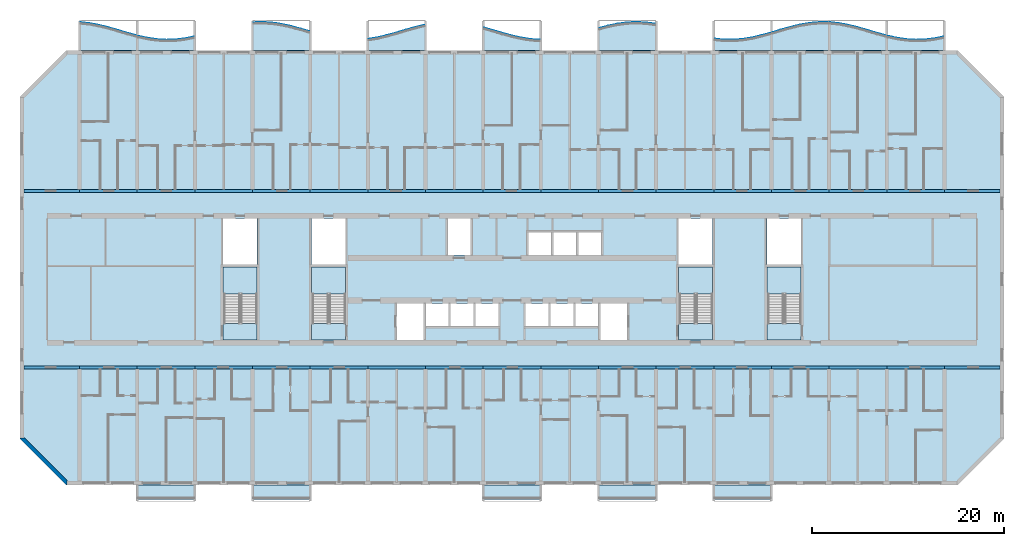
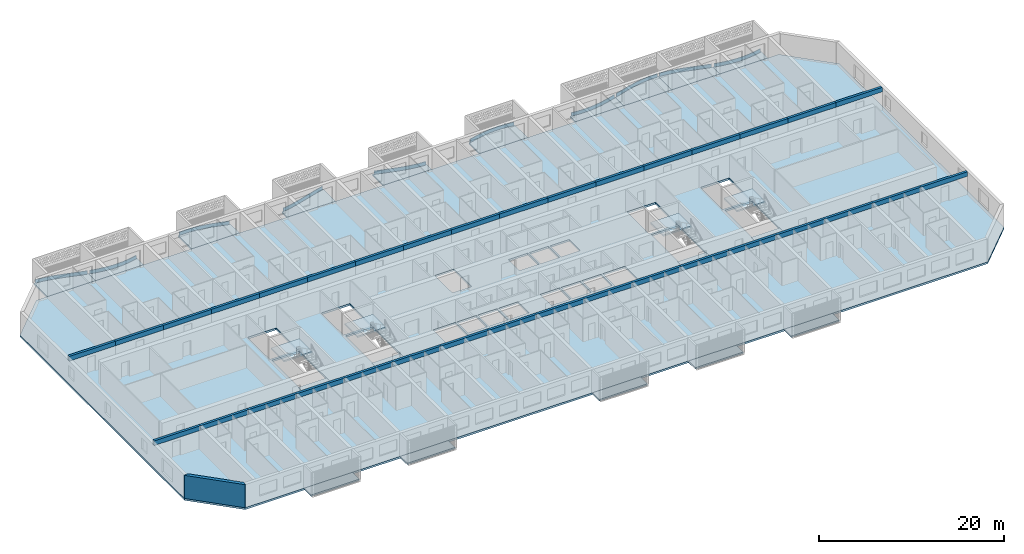
# One storey, part 1 of 40: 34 beams, 24 slabs, 10 plates, 1 wall, 4 elements without a shape of their own.
"""IFC4 building model written with IfcOpenShell, lengths in metres."""

from ifc_helpers import new_model, si_unit, direction, frame, origin, origin_2d, place, context, subcontext, project, spatial, polyline, rectangle, outline, extrude, source, transform, mapped, material, layer, layer_set, material_profile, profile_set, type_object, element, aggregate, save


model = new_model("IFC4")

# Units and contexts
model_context = context("Model", 3, precision=1e-05, world=origin(), true_north=direction((0.0, 1.0)))
body_context = subcontext(model_context, "Body", "Model", "MODEL_VIEW")
ifc_project = project(units=[si_unit("LENGTHUNIT", "METRE"), si_unit("AREAUNIT", "SQUARE_METRE"), si_unit("VOLUMEUNIT", "CUBIC_METRE"), si_unit("PLANEANGLEUNIT", "RADIAN"), si_unit("MASSUNIT", "GRAM", prefix="KILO")], contexts=[model_context])

# Site, building, storey
site_placement = place(None, origin())
site = spatial("IfcSite", under=ifc_project, at=site_placement, CompositionType="ELEMENT")
building_placement = place(site_placement, origin())
building = spatial("IfcBuilding", under=site, at=building_placement, Name="Poui Terraces", CompositionType="ELEMENT")
storey_placement = place(building_placement, frame((0.0, 0.0, 39.89990234375)))
storey = spatial("IfcBuildingStorey", under=building, at=storey_placement, Name="L10", CompositionType="ELEMENT", Elevation=39.89990234375)

# Beams
ifc_material_1 = material(Name="Concrete 80 MPa", Category="concrete")
ifc_material_profile = material_profile(ifc_material_1, rectangle(XDim=0.300048828125, YDim=0.60009765625, at=origin_2d()), Name="RC 300x600")
ifc_profile_set = profile_set([ifc_material_profile], Name="Concrete 80 MPa")
beam_type = type_object("IfcBeamType", Name="COUPLING BEAM 300x600 80MPa", PredefinedType="BEAM", material=ifc_profile_set)
shared_shape_1 = source(origin(), body_context, "Body", "SweptSolid", [
    extrude(rectangle(XDim=0.300048828125, YDim=0.60009765625, at=origin_2d()), origin(), (0.0, 0.0, 1.0), 6.0),
])
for number, where, z_axis, x_axis, name in (
    (1, (6.0, 12.0, 2.75), (1.0, 0.0, 0.0), (0.0, 1.0, 0.0), "COUPLING BEAM LINE B BAY 2"),
    (2, (12.0, 12.0, 2.75), (1.0, 0.0, 0.0), (0.0, 1.0, 0.0), "COUPLING BEAM LINE B BAY 3"),
    (3, (18.0, 12.0, 2.75), (1.0, 0.0, 0.0), (0.0, 1.0, 0.0), "COUPLING BEAM LINE B BAY 4"),
    (4, (24.0, 12.0, 2.75), (1.0, 0.0, 0.0), (0.0, 1.0, 0.0), "COUPLING BEAM LINE B BAY 5"),
    (5, (30.0, 12.0, 2.75), (1.0, 0.0, 0.0), (0.0, 1.0, 0.0), "COUPLING BEAM LINE B BAY 6"),
    (6, (36.0, 12.0, 2.75), (1.0, 0.0, 0.0), (0.0, 1.0, 0.0), "COUPLING BEAM LINE B BAY 7"),
    (7, (42.0, 12.0, 2.75), (1.0, 0.0, 0.0), (0.0, 1.0, 0.0), "COUPLING BEAM LINE B BAY 8"),
    (8, (48.0, 12.0, 2.75), (1.0, 0.0, 0.0), (0.0, 1.0, 0.0), "COUPLING BEAM LINE B BAY 9"),
    (9, (54.0, 12.0, 2.75), (1.0, 0.0, 0.0), (0.0, 1.0, 0.0), "COUPLING BEAM LINE B BAY 10"),
    (10, (60.0, 12.0, 2.75), (1.0, 0.0, 0.0), (0.0, 1.0, 0.0), "COUPLING BEAM LINE B BAY 11"),
    (11, (66.0, 12.0, 2.75), (1.0, 0.0, 0.0), (0.0, 1.0, 0.0), "COUPLING BEAM LINE B BAY 12"),
    (12, (72.0, 12.0, 2.75), (1.0, 0.0, 0.0), (0.0, 1.0, 0.0), "COUPLING BEAM LINE B BAY 13"),
    (13, (78.0, 12.0, 2.75), (1.0, 0.0, 0.0), (0.0, 1.0, 0.0), "COUPLING BEAM LINE B BAY 14"),
    (14, (84.0, 12.0, 2.75), (1.0, 0.0, 0.0), (0.0, 1.0, 0.0), "COUPLING BEAM LINE B BAY 15"),
    (15, (90.0, 12.0, 2.75), (1.0, 0.0, 0.0), (0.0, 1.0, 0.0), "COUPLING BEAM LINE B BAY 16"),
    (16, (6.0, 30.39990234375, 2.75), (1.0, 0.0, 0.0), (0.0, 1.0, 0.0), "COUPLING BEAM LINE E BAY 2"),
    (17, (12.0, 30.39990234375, 2.75), (1.0, 0.0, 0.0), (0.0, 1.0, 0.0), "COUPLING BEAM LINE E BAY 3"),
    (18, (18.0, 30.39990234375, 2.75), (1.0, 0.0, 0.0), (0.0, 1.0, 0.0), "COUPLING BEAM LINE E BAY 4"),
    (19, (24.0, 30.39990234375, 2.75), (1.0, 0.0, 0.0), (0.0, 1.0, 0.0), "COUPLING BEAM LINE E BAY 5"),
    (20, (30.0, 30.39990234375, 2.75), (1.0, 0.0, 0.0), (0.0, 1.0, 0.0), "COUPLING BEAM LINE E BAY 6"),
    (21, (36.0, 30.39990234375, 2.75), (1.0, 0.0, 0.0), (0.0, 1.0, 0.0), "COUPLING BEAM LINE E BAY 7"),
    (22, (42.0, 30.39990234375, 2.75), (1.0, 0.0, 0.0), (0.0, 1.0, 0.0), "COUPLING BEAM LINE E BAY 8"),
    (23, (48.0, 30.39990234375, 2.75), (1.0, 0.0, 0.0), (0.0, 1.0, 0.0), "COUPLING BEAM LINE E BAY 9"),
    (24, (54.0, 30.39990234375, 2.75), (1.0, 0.0, 0.0), (0.0, 1.0, 0.0), "COUPLING BEAM LINE E BAY 10"),
    (25, (60.0, 30.39990234375, 2.75), (1.0, 0.0, 0.0), (0.0, 1.0, 0.0), "COUPLING BEAM LINE E BAY 11"),
    (26, (66.0, 30.39990234375, 2.75), (1.0, 0.0, 0.0), (0.0, 1.0, 0.0), "COUPLING BEAM LINE E BAY 12"),
    (27, (72.0, 30.39990234375, 2.75), (1.0, 0.0, 0.0), (0.0, 1.0, 0.0), "COUPLING BEAM LINE E BAY 13"),
    (28, (78.0, 30.39990234375, 2.75), (1.0, 0.0, 0.0), (0.0, 1.0, 0.0), "COUPLING BEAM LINE E BAY 14"),
    (29, (84.0, 30.39990234375, 2.75), (1.0, 0.0, 0.0), (0.0, 1.0, 0.0), "COUPLING BEAM LINE E BAY 15"),
    (30, (90.0, 30.39990234375, 2.75), (1.0, 0.0, 0.0), (0.0, 1.0, 0.0), "COUPLING BEAM LINE E BAY 16"),
):
    element("IfcBeam", number, at=place(storey_placement, frame(where, z_axis=z_axis, x_axis=x_axis)), inside=storey, type_object=beam_type, Name=name, PredefinedType="BEAM", context=body_context, shape_type="MappedRepresentation", body=[
        mapped(shared_shape_1, transform((0.0, 0.0, 0.0))),
    ])
shared_shape_2 = source(origin(), body_context, "Body", "SweptSolid", [
    extrude(rectangle(XDim=0.300048828125, YDim=0.60009765625, at=origin_2d()), origin(), (0.0, 0.0, 1.0), 5.800048828125),
])
for number, where, z_axis, x_axis, name in (
    (31, (0.199951171875, 12.0, 2.75), (1.0, 0.0, 0.0), (0.0, 1.0, 0.0), "COUPLING BEAM LINE B BAY 1"),
    (32, (96.0, 12.0, 2.75), (1.0, 0.0, 0.0), (0.0, 1.0, 0.0), "COUPLING BEAM LINE B BAY 17"),
    (33, (0.199951171875, 30.39990234375, 2.75), (1.0, 0.0, 0.0), (0.0, 1.0, 0.0), "COUPLING BEAM LINE E BAY 1"),
    (34, (96.0, 30.39990234375, 2.75), (1.0, 0.0, 0.0), (0.0, 1.0, 0.0), "COUPLING BEAM LINE E BAY 17"),
):
    element("IfcBeam", number, at=place(storey_placement, frame(where, z_axis=z_axis, x_axis=x_axis)), inside=storey, type_object=beam_type, Name=name, PredefinedType="BEAM", context=body_context, shape_type="MappedRepresentation", body=[
        mapped(shared_shape_2, transform((0.0, 0.0, 0.0))),
    ])

# Slabs
ifc_material_2 = material(Name="Precast concrete 40 MPa", Category="concrete")
ifc_layer_1 = layer(ifc_material_2, 0.199951171875)
ifc_layer_set_1 = layer_set([ifc_layer_1], Name="Precast concrete 40 MPa")
slab_type_1 = type_object("IfcSlabType", Name="BALCONY SLAB 200", PredefinedType="FLOOR", material=ifc_layer_set_1)
slab_1_placement = place(storey_placement, frame((0.0, 0.0, -0.199951171875)))
element("IfcSlab", 35, at=slab_1_placement, inside=storey, type_object=slab_type_1, Name="BALCONY SLAB", PredefinedType="FLOOR", context=body_context, shape_type="SweptSolid", body=[
    extrude(outline(polyline([(6.0, 45.0), (12.0, 45.0), (12.0, 46.541259765625), (11.0, 46.815673828125), (10.0, 47.11181640625), (9.0, 47.39892578125), (8.0, 47.647705078125), (7.0, 47.832275390625), (6.0, 47.93359375), (6.0, 45.0)])), origin(), (0.0, 0.0, 1.0), 0.199951171875),
])
slab_2_placement = place(storey_placement, frame((0.0, 0.0, -0.199951171875)))
element("IfcSlab", 36, at=slab_2_placement, inside=storey, type_object=slab_type_1, Name="BALCONY SLAB", PredefinedType="FLOOR", context=body_context, shape_type="SweptSolid", body=[
    extrude(outline(polyline([(12.0, 45.0), (18.0, 45.0), (18.0, 46.45947265625), (17.0, 46.2568359375), (16.0, 46.133056640625), (15.0, 46.101318359375), (14.0, 46.16455078125), (13.0, 46.31640625), (12.0, 46.541259765625), (12.0, 45.0)])), origin(), (0.0, 0.0, 1.0), 0.199951171875),
])
slab_3_placement = place(storey_placement, frame((0.0, 0.0, -0.199951171875)))
element("IfcSlab", 37, at=slab_3_placement, inside=storey, type_object=slab_type_1, Name="BALCONY SLAB", PredefinedType="FLOOR", context=body_context, shape_type="SweptSolid", body=[
    extrude(outline(polyline([(24.0, 45.0), (30.0, 45.0), (30.0, 46.962890625), (29.0, 47.25830078125), (28.0, 47.52978515625), (27.0, 47.749267578125), (26.0, 47.894287109375), (25.0, 47.94970703125), (24.0, 47.909912109375), (24.0, 45.0)])), origin(), (0.0, 0.0, 1.0), 0.199951171875),
])
slab_4_placement = place(storey_placement, frame((0.0, 0.0, -0.199951171875)))
element("IfcSlab", 38, at=slab_4_placement, inside=storey, type_object=slab_type_1, Name="BALCONY SLAB", PredefinedType="FLOOR", context=body_context, shape_type="SweptSolid", body=[
    extrude(outline(polyline([(36.0, 45.0), (42.0, 45.0), (42.0, 47.683349609375), (41.0, 47.44384765625), (40.0, 47.1611328125), (39.0, 46.864501953125), (38.0, 46.584228515625), (37.0, 46.349365234375), (36.0, 46.18408203125), (36.0, 45.0)])), origin(), (0.0, 0.0, 1.0), 0.199951171875),
])
slab_5_placement = place(storey_placement, frame((0.0, 0.0, -0.199951171875)))
element("IfcSlab", 39, at=slab_5_placement, inside=storey, type_object=slab_type_1, Name="BALCONY SLAB", PredefinedType="FLOOR", context=body_context, shape_type="SweptSolid", body=[
    extrude(outline(polyline([(48.0, 45.0), (54.0, 45.0), (54.0, 46.101318359375), (53.0, 46.16455078125), (52.0, 46.31640625), (51.0, 46.541259765625), (50.0, 46.815673828125), (49.0, 47.11181640625), (48.0, 47.39892578125), (48.0, 45.0)])), origin(), (0.0, 0.0, 1.0), 0.199951171875),
])
slab_6_placement = place(storey_placement, frame((0.0, 0.0, -0.199951171875)))
element("IfcSlab", 40, at=slab_6_placement, inside=storey, type_object=slab_type_1, Name="BALCONY SLAB", PredefinedType="FLOOR", context=body_context, shape_type="SweptSolid", body=[
    extrude(outline(polyline([(60.0, 45.0), (66.0, 45.0), (66.0, 47.749267578125), (65.0, 47.894287109375), (64.0, 47.94970703125), (63.0, 47.909912109375), (62.0, 47.779052734375), (61.0, 47.57080078125), (60.0, 47.30615234375), (60.0, 45.0)])), origin(), (0.0, 0.0, 1.0), 0.199951171875),
])
slab_7_placement = place(storey_placement, frame((0.0, 0.0, -0.199951171875)))
element("IfcSlab", 41, at=slab_7_placement, inside=storey, type_object=slab_type_1, Name="BALCONY SLAB", PredefinedType="FLOOR", context=body_context, shape_type="SweptSolid", body=[
    extrude(outline(polyline([(72.0, 45.0), (78.0, 45.0), (78.0, 46.864501953125), (77.0, 46.584228515625), (76.0, 46.349365234375), (75.0, 46.18408203125), (74.0, 46.105224609375), (73.0, 46.121337890625), (72.0, 46.230224609375), (72.0, 45.0)])), origin(), (0.0, 0.0, 1.0), 0.199951171875),
])
slab_8_placement = place(storey_placement, frame((0.0, 0.0, -0.199951171875)))
element("IfcSlab", 42, at=slab_8_placement, inside=storey, type_object=slab_type_1, Name="BALCONY SLAB", PredefinedType="FLOOR", context=body_context, shape_type="SweptSolid", body=[
    extrude(outline(polyline([(78.0, 45.0), (84.0, 45.0), (84.0, 47.93359375), (83.0, 47.941650390625), (82.0, 47.855224609375), (81.0, 47.683349609375), (80.0, 47.44384765625), (79.0, 47.1611328125), (78.0, 46.864501953125), (78.0, 45.0)])), origin(), (0.0, 0.0, 1.0), 0.199951171875),
])
slab_9_placement = place(storey_placement, frame((0.0, 0.0, -0.199951171875)))
element("IfcSlab", 43, at=slab_9_placement, inside=storey, type_object=slab_type_1, Name="BALCONY SLAB", PredefinedType="FLOOR", context=body_context, shape_type="SweptSolid", body=[
    extrude(outline(polyline([(84.0, 45.0), (90.0, 45.0), (90.0, 46.541259765625), (89.0, 46.815673828125), (88.0, 47.11181640625), (87.0, 47.39892578125), (86.0, 47.647705078125), (85.0, 47.832275390625), (84.0, 47.93359375), (84.0, 45.0)])), origin(), (0.0, 0.0, 1.0), 0.199951171875),
])
slab_10_placement = place(storey_placement, frame((0.0, 0.0, -0.199951171875)))
element("IfcSlab", 44, at=slab_10_placement, inside=storey, type_object=slab_type_1, Name="BALCONY SLAB", PredefinedType="FLOOR", context=body_context, shape_type="SweptSolid", body=[
    extrude(outline(polyline([(90.0, 45.0), (96.0, 45.0), (96.0, 46.45947265625), (95.0, 46.2568359375), (94.0, 46.133056640625), (93.0, 46.101318359375), (92.0, 46.16455078125), (91.0, 46.31640625), (90.0, 46.541259765625), (90.0, 45.0)])), origin(), (0.0, 0.0, 1.0), 0.199951171875),
])

# Stair, slabs
stair_type = type_object("IfcStairType", Name="EXIT STAIR 1650 80 MPA", PredefinedType="HALF_TURN_STAIR", material=ifc_material_1)
stair_1_placement = place(storey_placement, origin())
stair_1 = element("IfcStair", 45, at=stair_1_placement, inside=storey, type_object=stair_type, Name="L10 CORE STAIR EAST", PredefinedType="HALF_TURN_STAIR")
ifc_layer_2 = layer(ifc_material_1, 0.199951171875)
ifc_layer_set_2 = layer_set([ifc_layer_2], Name="Concrete 80 MPa")
slab_type_2 = type_object("IfcSlabType", Name="STAIR LANDING 200 80 MPA", PredefinedType="LANDING", material=ifc_layer_set_2)
slab_11_placement = place(storey_placement, frame((0.0, 0.0, 1.449951171875)))
slab_11 = element("IfcSlab", 46, at=slab_11_placement, type_object=slab_type_2, Name="ST-CE landing 1", PredefinedType="LANDING", context=body_context, shape_type="SweptSolid", body=[
    extrude(outline(polyline([(68.324951171875, 19.679931640625), (71.875, 19.679931640625), (71.875, 22.47509765625), (68.324951171875, 22.47509765625), (68.324951171875, 19.679931640625)])), origin(), (0.0, 0.0, 1.0), 0.2001953125),
])
slab_12_placement = place(storey_placement, frame((0.0, 0.0, -0.199951171875)))
slab_12 = element("IfcSlab", 47, at=slab_12_placement, type_object=slab_type_2, Name="ST-CE landing 2", PredefinedType="LANDING", context=body_context, shape_type="SweptSolid", body=[
    extrude(outline(polyline([(68.324951171875, 14.89990234375), (71.875, 14.89990234375), (71.875, 16.60009765625), (68.324951171875, 16.60009765625), (68.324951171875, 14.89990234375)])), origin(), (0.0, 0.0, 1.0), 0.199951171875),
])
aggregate(stair_1, [slab_11, slab_12])

stair_2_placement = place(storey_placement, origin())
stair_2 = element("IfcStair", 48, at=stair_2_placement, inside=storey, type_object=stair_type, Name="L10 CORE STAIR WEST", PredefinedType="HALF_TURN_STAIR")
slab_13_placement = place(storey_placement, frame((0.0, 0.0, 1.449951171875)))
slab_13 = element("IfcSlab", 49, at=slab_13_placement, type_object=slab_type_2, Name="ST-CW landing 1", PredefinedType="LANDING", context=body_context, shape_type="SweptSolid", body=[
    extrude(outline(polyline([(30.125, 19.679931640625), (33.675048828125, 19.679931640625), (33.675048828125, 22.47509765625), (30.125, 22.47509765625), (30.125, 19.679931640625)])), origin(), (0.0, 0.0, 1.0), 0.2001953125),
])
slab_14_placement = place(storey_placement, frame((0.0, 0.0, -0.199951171875)))
slab_14 = element("IfcSlab", 50, at=slab_14_placement, type_object=slab_type_2, Name="ST-CW landing 2", PredefinedType="LANDING", context=body_context, shape_type="SweptSolid", body=[
    extrude(outline(polyline([(30.125, 14.89990234375), (33.675048828125, 14.89990234375), (33.675048828125, 16.60009765625), (30.125, 16.60009765625), (30.125, 14.89990234375)])), origin(), (0.0, 0.0, 1.0), 0.199951171875),
])
aggregate(stair_2, [slab_13, slab_14])

stair_3_placement = place(storey_placement, origin())
stair_3 = element("IfcStair", 51, at=stair_3_placement, inside=storey, type_object=stair_type, Name="L10 TIP STAIR EAST", PredefinedType="HALF_TURN_STAIR")
slab_15_placement = place(storey_placement, frame((0.0, 0.0, 1.449951171875)))
slab_15 = element("IfcSlab", 52, at=slab_15_placement, type_object=slab_type_2, Name="ST-E landing 1", PredefinedType="LANDING", context=body_context, shape_type="SweptSolid", body=[
    extrude(outline(polyline([(77.52490234375, 19.679931640625), (81.074951171875, 19.679931640625), (81.074951171875, 22.47509765625), (77.52490234375, 22.47509765625), (77.52490234375, 19.679931640625)])), origin(), (0.0, 0.0, 1.0), 0.2001953125),
])
slab_16_placement = place(storey_placement, frame((0.0, 0.0, -0.199951171875)))
slab_16 = element("IfcSlab", 53, at=slab_16_placement, type_object=slab_type_2, Name="ST-E landing 2", PredefinedType="LANDING", context=body_context, shape_type="SweptSolid", body=[
    extrude(outline(polyline([(77.52490234375, 14.89990234375), (81.074951171875, 14.89990234375), (81.074951171875, 16.60009765625), (77.52490234375, 16.60009765625), (77.52490234375, 14.89990234375)])), origin(), (0.0, 0.0, 1.0), 0.199951171875),
])
aggregate(stair_3, [slab_15, slab_16])

stair_4_placement = place(storey_placement, origin())
stair_4 = element("IfcStair", 54, at=stair_4_placement, inside=storey, type_object=stair_type, Name="L10 TIP STAIR WEST", PredefinedType="HALF_TURN_STAIR")
slab_17_placement = place(storey_placement, frame((0.0, 0.0, 1.449951171875)))
slab_17 = element("IfcSlab", 55, at=slab_17_placement, type_object=slab_type_2, Name="ST-W landing 1", PredefinedType="LANDING", context=body_context, shape_type="SweptSolid", body=[
    extrude(outline(polyline([(20.925048828125, 19.679931640625), (24.47509765625, 19.679931640625), (24.47509765625, 22.47509765625), (20.925048828125, 22.47509765625), (20.925048828125, 19.679931640625)])), origin(), (0.0, 0.0, 1.0), 0.2001953125),
])
slab_18_placement = place(storey_placement, frame((0.0, 0.0, -0.199951171875)))
slab_18 = element("IfcSlab", 56, at=slab_18_placement, type_object=slab_type_2, Name="ST-W landing 2", PredefinedType="LANDING", context=body_context, shape_type="SweptSolid", body=[
    extrude(outline(polyline([(20.925048828125, 14.89990234375), (24.47509765625, 14.89990234375), (24.47509765625, 16.60009765625), (20.925048828125, 16.60009765625), (20.925048828125, 14.89990234375)])), origin(), (0.0, 0.0, 1.0), 0.199951171875),
])
aggregate(stair_4, [slab_17, slab_18])

# Plates
ifc_layer_3 = layer(ifc_material_2, 0.080078125)
ifc_layer_set_3 = layer_set([ifc_layer_3], Name="Precast concrete 40 MPa")
plate_type = type_object("IfcPlateType", Name="SUNSHADE UPSTAND 80", PredefinedType="SHEET", material=ifc_layer_set_3)
plate_1_placement = place(storey_placement, origin())
element("IfcPlate", 57, at=plate_1_placement, inside=storey, type_object=plate_type, Name="SUNSHADE UPSTAND", PredefinedType="SHEET", context=body_context, shape_type="SweptSolid", body=[
    extrude(outline(polyline([(7.005859375, 47.826904296875), (6.16357421875, 47.9169921875), (6.129150390625, 47.920654296875), (6.12060546875, 47.84130859375), (6.994140625, 47.74755859375), (7.991455078125, 47.5634765625), (8.98974609375, 47.315185546875), (9.98876953125, 47.0283203125), (10.989013671875, 46.732421875), (11.8642578125, 46.48974609375), (11.8857421875, 46.56689453125), (11.010986328125, 46.80908203125), (10.01123046875, 47.105224609375), (9.01025390625, 47.392578125), (8.008544921875, 47.6416015625), (7.005859375, 47.826904296875)])), origin(), (0.0, 0.0, 1.0), 0.4501953125),
])
plate_2_placement = place(storey_placement, origin())
element("IfcPlate", 58, at=plate_2_placement, inside=storey, type_object=plate_type, Name="SUNSHADE UPSTAND", PredefinedType="SHEET", context=body_context, shape_type="SweptSolid", body=[
    extrude(outline(polyline([(13.00732421875, 46.310791015625), (12.133544921875, 46.50390625), (12.116455078125, 46.42578125), (12.99267578125, 46.232177734375), (13.99560546875, 46.079833984375), (14.99951171875, 46.016357421875), (16.003173828125, 46.048095703125), (17.00634765625, 46.172119140625), (17.8828125, 46.34619140625), (17.8671875, 46.4248046875), (16.99365234375, 46.251220703125), (15.996826171875, 46.128173828125), (15.00048828125, 46.096435546875), (14.00439453125, 46.159423828125), (13.00732421875, 46.310791015625)])), origin(), (0.0, 0.0, 1.0), 0.4501953125),
])
plate_3_placement = place(storey_placement, origin())
element("IfcPlate", 59, at=plate_3_placement, inside=storey, type_object=plate_type, Name="SUNSHADE UPSTAND", PredefinedType="SHEET", context=body_context, shape_type="SweptSolid", body=[
    extrude(outline(polyline([(25.00048828125, 47.944580078125), (24.15576171875, 47.916015625), (24.123779296875, 47.914794921875), (24.12646484375, 47.835205078125), (24.99951171875, 47.864501953125), (25.99609375, 47.809326171875), (26.992919921875, 47.664794921875), (27.990478515625, 47.446044921875), (28.989013671875, 47.1748046875), (29.86376953125, 46.916748046875), (29.88623046875, 46.993408203125), (29.010986328125, 47.251953125), (28.009521484375, 47.523681640625), (27.007080078125, 47.74365234375), (26.00390625, 47.88916015625), (25.00048828125, 47.944580078125)])), origin(), (0.0, 0.0, 1.0), 0.4501953125),
])
plate_4_placement = place(storey_placement, origin())
element("IfcPlate", 60, at=plate_4_placement, inside=storey, type_object=plate_type, Name="SUNSHADE UPSTAND", PredefinedType="SHEET", context=body_context, shape_type="SweptSolid", body=[
    extrude(outline(polyline([(36.9921875, 46.343505859375), (36.118408203125, 46.194580078125), (36.131591796875, 46.11572265625), (37.0078125, 46.26513671875), (38.010009765625, 46.50048828125), (39.010986328125, 46.781005859375), (40.010986328125, 47.07763671875), (41.01025390625, 47.360107421875), (41.884521484375, 47.572998046875), (41.865478515625, 47.650634765625), (40.98974609375, 47.4375), (39.989013671875, 47.154541015625), (38.989013671875, 46.85791015625), (37.989990234375, 46.577880859375), (36.9921875, 46.343505859375)])), origin(), (0.0, 0.0, 1.0), 0.4501953125),
])
plate_5_placement = place(storey_placement, origin())
element("IfcPlate", 61, at=plate_5_placement, inside=storey, type_object=plate_type, Name="SUNSHADE UPSTAND", PredefinedType="SHEET", context=body_context, shape_type="SweptSolid", body=[
    extrude(outline(polyline([(49.01123046875, 47.105224609375), (48.135986328125, 47.35791015625), (48.114013671875, 47.28125), (48.98876953125, 47.0283203125), (49.989013671875, 46.732177734375), (50.990234375, 46.457275390625), (51.99267578125, 46.232177734375), (52.99560546875, 46.079833984375), (53.872314453125, 46.019287109375), (53.877685546875, 46.09912109375), (53.00439453125, 46.159423828125), (52.00732421875, 46.310791015625), (51.009765625, 46.534912109375), (50.010986328125, 46.80908203125), (49.01123046875, 47.105224609375)])), origin(), (0.0, 0.0, 1.0), 0.4501953125),
])
plate_6_placement = place(storey_placement, origin())
element("IfcPlate", 62, at=plate_6_placement, inside=storey, type_object=plate_type, Name="SUNSHADE UPSTAND", PredefinedType="SHEET", context=body_context, shape_type="SweptSolid", body=[
    extrude(outline(polyline([(60.99072265625, 47.564697265625), (60.114990234375, 47.335205078125), (60.135009765625, 47.2578125), (61.00927734375, 47.48681640625), (62.006591796875, 47.694580078125), (63.00341796875, 47.824951171875), (63.999755859375, 47.864501953125), (64.99609375, 47.809326171875), (65.869384765625, 47.687255859375), (65.880615234375, 47.7666015625), (65.00390625, 47.88916015625), (64.000244140625, 47.944580078125), (62.99658203125, 47.90478515625), (61.993408203125, 47.773681640625), (60.99072265625, 47.564697265625)])), origin(), (0.0, 0.0, 1.0), 0.4501953125),
])
plate_7_placement = place(storey_placement, origin())
element("IfcPlate", 63, at=plate_7_placement, inside=storey, type_object=plate_type, Name="SUNSHADE UPSTAND", PredefinedType="SHEET", context=body_context, shape_type="SweptSolid", body=[
    extrude(outline(polyline([(73.00244140625, 46.1162109375), (72.129150390625, 46.20654296875), (72.120849609375, 46.126953125), (72.99755859375, 46.036376953125), (74.001220703125, 46.020263671875), (75.0048828125, 46.099365234375), (76.0078125, 46.26513671875), (77.010009765625, 46.50048828125), (77.8857421875, 46.744384765625), (77.8642578125, 46.8212890625), (76.989990234375, 46.577880859375), (75.9921875, 46.343505859375), (74.9951171875, 46.1787109375), (73.998779296875, 46.100341796875), (73.00244140625, 46.1162109375)])), origin(), (0.0, 0.0, 1.0), 0.4501953125),
])
plate_8_placement = place(storey_placement, origin())
element("IfcPlate", 64, at=plate_8_placement, inside=storey, type_object=plate_type, Name="SUNSHADE UPSTAND", PredefinedType="SHEET", context=body_context, shape_type="SweptSolid", body=[
    extrude(outline(polyline([(78.989013671875, 47.154541015625), (78.113525390625, 46.89453125), (78.136474609375, 46.81787109375), (79.010986328125, 47.07763671875), (80.010009765625, 47.360107421875), (81.008056640625, 47.59912109375), (82.005126953125, 47.7705078125), (83.001708984375, 47.856689453125), (83.875, 47.85498046875), (83.875, 47.934814453125), (83.8369140625, 47.93505859375), (82.998291015625, 47.936767578125), (81.994873046875, 47.85009765625), (80.991943359375, 47.677734375), (79.989990234375, 47.4375), (78.989013671875, 47.154541015625)])), origin(), (0.0, 0.0, 1.0), 0.4501953125),
])
plate_9_placement = place(storey_placement, origin())
element("IfcPlate", 65, at=plate_9_placement, inside=storey, type_object=plate_type, Name="SUNSHADE UPSTAND", PredefinedType="SHEET", context=body_context, shape_type="SweptSolid", body=[
    extrude(outline(polyline([(85.005859375, 47.826904296875), (84.16357421875, 47.9169921875), (84.129150390625, 47.920654296875), (84.12060546875, 47.84130859375), (84.994140625, 47.74755859375), (85.991455078125, 47.5634765625), (86.98974609375, 47.315185546875), (87.98876953125, 47.0283203125), (88.989013671875, 46.732421875), (89.8642578125, 46.48974609375), (89.8857421875, 46.56689453125), (89.010986328125, 46.80908203125), (88.01123046875, 47.105224609375), (87.01025390625, 47.392578125), (86.008544921875, 47.6416015625), (85.005859375, 47.826904296875)])), origin(), (0.0, 0.0, 1.0), 0.4501953125),
])
plate_10_placement = place(storey_placement, origin())
element("IfcPlate", 66, at=plate_10_placement, inside=storey, type_object=plate_type, Name="SUNSHADE UPSTAND", PredefinedType="SHEET", context=body_context, shape_type="SweptSolid", body=[
    extrude(outline(polyline([(91.00732421875, 46.310791015625), (90.133544921875, 46.50390625), (90.116455078125, 46.42578125), (90.99267578125, 46.232177734375), (91.99560546875, 46.079833984375), (92.99951171875, 46.016357421875), (94.003173828125, 46.048095703125), (95.00634765625, 46.172119140625), (95.8828125, 46.34619140625), (95.8671875, 46.4248046875), (94.99365234375, 46.251220703125), (93.996826171875, 46.128173828125), (93.00048828125, 46.096435546875), (92.00439453125, 46.159423828125), (91.00732421875, 46.310791015625)])), origin(), (0.0, 0.0, 1.0), 0.4501953125),
])

# Slabs
ifc_material_3 = material(Name="Concrete 40 MPa", Category="concrete")
ifc_layer_4 = layer(ifc_material_3, 0.25)
ifc_layer_set_4 = layer_set([ifc_layer_4], Name="Concrete 40 MPa")
slab_type_3 = type_object("IfcSlabType", Name="FLOOR SLAB 250", PredefinedType="FLOOR", material=ifc_layer_set_4)
shared_shape_3 = source(origin(), body_context, "Body", "SweptSolid", [
    extrude(outline(polyline([(0.0, 0.0), (4.800048828125, -4.800048828125), (97.599853515625, -4.800048828125), (102.39990234375, 0.0), (102.39990234375, 35.599853515625), (97.599853515625, 40.39990234375), (4.800048828125, 40.39990234375), (0.0, 35.599853515625), (0.0, 0.0)]), holes=[polyline([(39.199951171875, 10.2998046875), (39.199951171875, 14.099853515625), (42.0, 14.099853515625), (42.0, 10.2998046875), (39.199951171875, 10.2998046875)]), polyline([(42.199951171875, 11.699951171875), (42.199951171875, 14.099853515625), (44.599853515625, 14.099853515625), (44.599853515625, 11.699951171875), (42.199951171875, 11.699951171875)]), polyline([(44.800048828125, 11.699951171875), (44.800048828125, 14.099853515625), (47.199951171875, 14.099853515625), (47.199951171875, 11.699951171875), (44.800048828125, 11.699951171875)]), polyline([(47.39990234375, 14.099853515625), (49.800048828125, 14.099853515625), (49.800048828125, 11.699951171875), (47.39990234375, 11.699951171875), (47.39990234375, 14.099853515625)]), polyline([(52.599853515625, 14.099853515625), (55.0, 14.099853515625), (55.0, 11.699951171875), (52.599853515625, 11.699951171875), (52.599853515625, 14.099853515625)]), polyline([(21.224853515625, 17.849853515625), (24.675048828125, 17.849853515625), (24.675048828125, 12.0), (24.675048828125, 10.2998046875), (21.125, 10.2998046875), (21.125, 12.0), (21.224853515625, 12.0), (21.224853515625, 17.849853515625)]), polyline([(30.425048828125, 17.849853515625), (33.875, 17.849853515625), (33.875, 12.0), (33.875, 10.2998046875), (30.324951171875, 10.2998046875), (30.324951171875, 12.0), (30.425048828125, 12.0), (30.425048828125, 17.849853515625)]), polyline([(21.125, 18.125), (21.125, 22.89990234375), (24.675048828125, 22.89990234375), (24.675048828125, 18.125), (21.125, 18.125)]), polyline([(30.324951171875, 22.89990234375), (33.875, 22.89990234375), (33.875, 18.125), (30.324951171875, 18.125), (30.324951171875, 22.89990234375)]), polyline([(44.5, 22.89990234375), (46.89990234375, 22.89990234375), (46.89990234375, 19.099853515625), (44.5, 19.099853515625), (44.5, 22.89990234375)]), polyline([(60.39990234375, 10.2998046875), (60.39990234375, 14.099853515625), (63.199951171875, 14.099853515625), (63.199951171875, 10.2998046875), (60.39990234375, 10.2998046875)]), polyline([(55.199951171875, 11.699951171875), (55.199951171875, 14.099853515625), (57.599853515625, 14.099853515625), (57.599853515625, 11.699951171875), (55.199951171875, 11.699951171875)]), polyline([(57.800048828125, 11.699951171875), (57.800048828125, 14.099853515625), (60.199951171875, 14.099853515625), (60.199951171875, 11.699951171875), (57.800048828125, 11.699951171875)]), polyline([(72.074951171875, 17.849853515625), (72.074951171875, 12.0), (72.074951171875, 10.2998046875), (68.52490234375, 10.2998046875), (68.52490234375, 12.0), (68.625, 12.0), (68.625, 17.849853515625), (72.074951171875, 17.849853515625)]), polyline([(81.27490234375, 17.849853515625), (81.27490234375, 12.0), (81.27490234375, 10.2998046875), (77.724853515625, 10.2998046875), (77.724853515625, 12.0), (77.824951171875, 12.0), (77.824951171875, 17.849853515625), (81.27490234375, 17.849853515625)]), polyline([(52.89990234375, 19.099853515625), (52.89990234375, 21.5), (55.300048828125, 21.5), (55.300048828125, 19.099853515625), (52.89990234375, 19.099853515625)]), polyline([(55.5, 19.099853515625), (55.5, 21.5), (57.89990234375, 21.5), (57.89990234375, 19.099853515625), (55.5, 19.099853515625)]), polyline([(58.099853515625, 19.099853515625), (58.099853515625, 21.5), (60.5, 21.5), (60.5, 19.099853515625), (58.099853515625, 19.099853515625)]), polyline([(68.52490234375, 22.89990234375), (72.074951171875, 22.89990234375), (72.074951171875, 18.125), (68.52490234375, 18.125), (68.52490234375, 22.89990234375)]), polyline([(77.724853515625, 22.89990234375), (81.27490234375, 22.89990234375), (81.27490234375, 18.125), (77.724853515625, 18.125), (77.724853515625, 22.89990234375)])]), origin(), (0.0, 0.0, 1.0), 0.25),
])
slab_19_placement = place(storey_placement, frame((-0.199951171875, 4.60009765625, -0.25)))
element("IfcSlab", 67, at=slab_19_placement, inside=storey, type_object=slab_type_3, Name="FLOOR SLAB", PredefinedType="FLOOR", context=body_context, shape_type="MappedRepresentation", body=[
    mapped(shared_shape_3, transform((0.0, 0.0, 0.0))),
])
ifc_layer_5 = layer(ifc_material_2, 0.199951171875)
ifc_layer_set_5 = layer_set([ifc_layer_5], Name="Precast concrete 40 MPa")
slab_type_4 = type_object("IfcSlabType", Name="REAR BALCONY SLAB 200", PredefinedType="FLOOR", material=ifc_layer_set_5)
shared_shape_4 = source(origin(), body_context, "Body", "SweptSolid", [
    extrude(outline(polyline([(0.0, 0.0), (6.0, 0.0), (6.0, 1.5), (0.0, 1.5), (0.0, 0.0)])), origin(), (0.0, 0.0, 1.0), 0.199951171875),
])
for number, where, name in (
    (68, (12.0, -1.699951171875, -0.199951171875), "REAR BALCONY SLAB"),
    (69, (24.0, -1.699951171875, -0.199951171875), "REAR BALCONY SLAB"),
    (70, (48.0, -1.699951171875, -0.199951171875), "REAR BALCONY SLAB"),
    (71, (60.0, -1.699951171875, -0.199951171875), "REAR BALCONY SLAB"),
    (72, (72.0, -1.699951171875, -0.199951171875), "REAR BALCONY SLAB"),
):
    element("IfcSlab", number, at=place(storey_placement, frame(where)), inside=storey, type_object=slab_type_4, Name=name, PredefinedType="FLOOR", context=body_context, shape_type="MappedRepresentation", body=[
        mapped(shared_shape_4, transform((0.0, 0.0, 0.0))),
    ])

# Wall
ifc_layer_6 = layer(ifc_material_2, 0.39990234375)
ifc_layer_set_6 = layer_set([ifc_layer_6], Name="Precast concrete 40 MPa")
wall_type = type_object("IfcWallType", Name="TERRACOTTA CLAD CHAMFER WALL 400", PredefinedType="STANDARD", material=ifc_layer_set_6)
wall_placement = place(storey_placement, origin())
element("IfcWall", 73, at=wall_placement, inside=storey, type_object=wall_type, Name="CHAMFER WALL CH07", PredefinedType="STANDARD", context=body_context, shape_type="SweptSolid", body=[
    extrude(outline(polyline([(-0.199951171875, 4.682861328125), (-0.199951171875, 4.60009765625), (4.60009765625, -0.199951171875), (4.682861328125, -0.199951171875), (4.682861328125, 0.28271484375), (0.28271484375, 4.682861328125), (-0.199951171875, 4.682861328125)])), origin(), (0.0, 0.0, 1.0), 3.050048828125),
])

save(model, "model.ifc")
